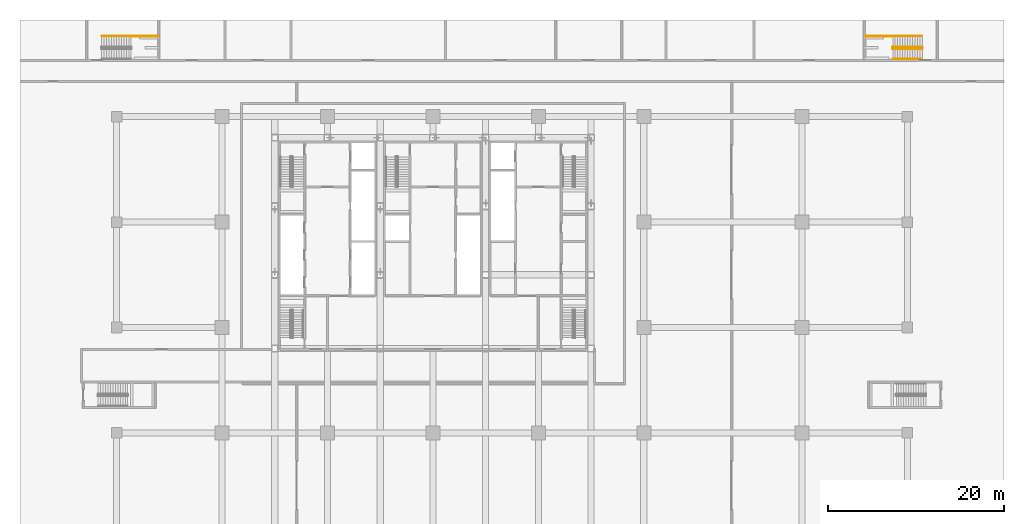
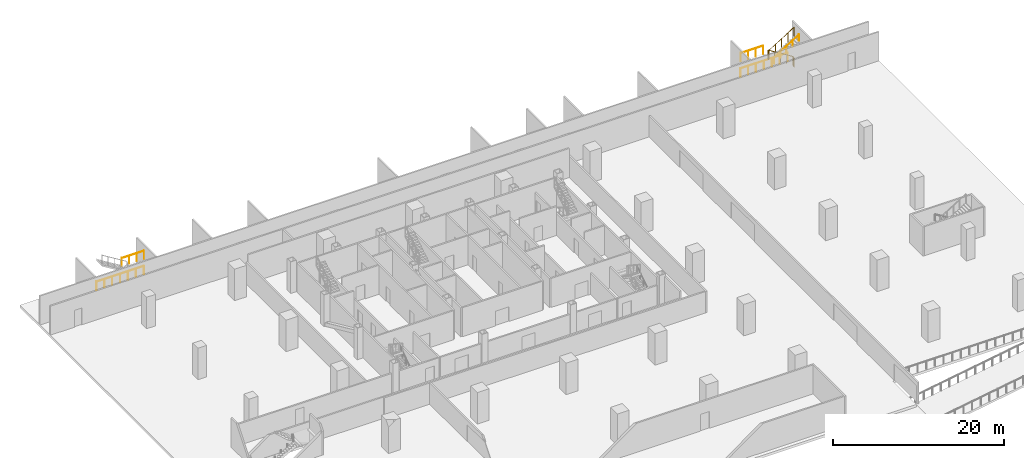
# One storey, part 15 of 15: 6 railings.
"""IFC4 building model written with IfcOpenShell, lengths in metres."""

from ifc_helpers import new_model, si_unit, direction, frame, origin, origin_2d, place, context, subcontext, project, spatial, circle, extrude, material, type_object, element, save


model = new_model("IFC4")

# Units and contexts
model_context = context("Model", 3, precision=1e-05, world=origin(), true_north=direction((0.0, 1.0)))
body_context = subcontext(model_context, "Body", "Model", "MODEL_VIEW")
ifc_project = project(units=[si_unit("LENGTHUNIT", "METRE"), si_unit("AREAUNIT", "SQUARE_METRE"), si_unit("VOLUMEUNIT", "CUBIC_METRE"), si_unit("PLANEANGLEUNIT", "RADIAN"), si_unit("MASSUNIT", "GRAM", prefix="KILO")], contexts=[model_context])

# Site, building, storey
site_placement = place(None, origin())
site = spatial("IfcSite", under=ifc_project, at=site_placement, CompositionType="ELEMENT")
building_placement = place(site_placement, origin())
building = spatial("IfcBuilding", under=site, at=building_placement, Name="Sorahane Residences", CompositionType="ELEMENT")
storey_placement = place(building_placement, frame((0.0, 0.0, -4.5)))
storey = spatial("IfcBuildingStorey", under=building, at=storey_placement, Name="B1", CompositionType="ELEMENT", Elevation=-4.5)

# Railings
ifc_material_1 = material(Name="Steel Q355B", Category="steel")
railing_type_1 = type_object("IfcRailingType", Name="Stair guard 1200 Steel Q355B", PredefinedType="GUARDRAIL", material=ifc_material_1)
railing_1_placement = place(storey_placement, frame((-13.699951171875, 57.199951171875, 0.0)))
element("IfcRailing", 1, at=railing_1_placement, inside=storey, type_object=railing_type_1, Name="B1 Basement stair BS1 guard", PredefinedType="GUARDRAIL", context=body_context, shape_type="SweptSolid", body=[
    extrude(circle(Radius=0.02392578125, at=origin_2d()), frame((0.0, 0.0, 1.17578125), z_axis=(1.0, 0.0, 0.0), x_axis=(0.0, 1.0, 0.0)), (0.0, 0.0, 1.0), 6.39990234375),
    extrude(circle(Radius=0.02099609375, at=origin_2d()), origin(), (0.0, 0.0, 1.0), 1.15185546875),
    extrude(circle(Radius=0.02099609375, at=origin_2d()), frame((1.066650390625, 0.0, 0.0)), (0.0, 0.0, 1.0), 1.15185546875),
    extrude(circle(Radius=0.02099609375, at=origin_2d()), frame((2.13330078125, 0.0, 0.0)), (0.0, 0.0, 1.0), 1.15185546875),
    extrude(circle(Radius=0.02099609375, at=origin_2d()), frame((3.199951171875, 0.0, 0.0)), (0.0, 0.0, 1.0), 1.15185546875),
    extrude(circle(Radius=0.02099609375, at=origin_2d()), frame((4.2666015625, 0.0, 0.0)), (0.0, 0.0, 1.0), 1.15185546875),
    extrude(circle(Radius=0.02099609375, at=origin_2d()), frame((5.333251953125, 0.0, 0.0)), (0.0, 0.0, 1.0), 1.15185546875),
    extrude(circle(Radius=0.02099609375, at=origin_2d()), frame((6.39990234375, 0.0, 0.0)), (0.0, 0.0, 1.0), 1.15185546875),
])
railing_2_placement = place(storey_placement, frame((-10.340087890625, 57.10009765625, 2.25)))
element("IfcRailing", 2, at=railing_2_placement, inside=storey, type_object=railing_type_1, Name="B1 Basement stair BS1 guard", PredefinedType="GUARDRAIL", context=body_context, shape_type="SweptSolid", body=[
    extrude(circle(Radius=0.02392578125, at=origin_2d()), frame((0.0, 0.0, 1.17578125), z_axis=(1.0, 0.0, 0.0), x_axis=(0.0, 1.0, 0.0)), (0.0, 0.0, 1.0), 3.0400390625),
    extrude(circle(Radius=0.02099609375, at=origin_2d()), origin(), (0.0, 0.0, 1.0), 1.15185546875),
    extrude(circle(Radius=0.02099609375, at=origin_2d()), frame((1.013427734375, 0.0, 0.0)), (0.0, 0.0, 1.0), 1.15185546875),
    extrude(circle(Radius=0.02099609375, at=origin_2d()), frame((2.026611328125, 0.0, 0.0)), (0.0, 0.0, 1.0), 1.15185546875),
    extrude(circle(Radius=0.02099609375, at=origin_2d()), frame((3.0400390625, 0.0, 0.0)), (0.0, 0.0, 1.0), 1.15185546875),
])
railing_3_placement = place(storey_placement, frame((79.75, 55.75, 0.0)))
element("IfcRailing", 3, at=railing_3_placement, inside=storey, type_object=railing_type_1, Name="B1 BS2 stair guard 1", PredefinedType="GUARDRAIL", context=body_context, shape_type="SweptSolid", body=[
    extrude(circle(Radius=0.02392578125, at=origin_2d()), frame((0.0, 0.0, 1.23583984375), z_axis=(0.0, 1.0, 0.0), x_axis=(-1.0, 0.0, 0.0)), (0.0, 0.0, 1.0), 0.14990234375),
    extrude(circle(Radius=0.02392578125, at=origin_2d()), frame((0.0, 0.14990234375, 1.23583984375), z_axis=(-0.267629722418, 0.267629722418, 0.925607186314), x_axis=(-0.707106781187, -0.707106781187, 0.0)), (0.0, 0.0, 1.0), 0.18701171875),
    extrude(circle(Radius=0.02392578125, at=origin_2d()), frame((-0.050048828125, 0.199951171875, 1.4091796875), z_axis=(-0.850606129759, 0.0, 0.525803396734), x_axis=(0.0, -1.0, 0.0)), (0.0, 0.0, 1.0), 3.949951171875),
    extrude(circle(Radius=0.02392578125, at=origin_2d()), frame((-3.409912109375, 0.199951171875, 3.48583984375), z_axis=(-0.707106781187, -0.707106781187, 0.0), x_axis=(0.707106781187, -0.707106781187, 0.0)), (0.0, 0.0, 1.0), 0.07080078125),
    extrude(circle(Radius=0.02392578125, at=origin_2d()), frame((-3.4599609375, 0.14990234375, 3.48583984375), z_axis=(0.0, -1.0, 0.0), x_axis=(1.0, 0.0, 0.0)), (0.0, 0.0, 1.0), 0.14990234375),
    extrude(circle(Radius=0.02392578125, at=origin_2d()), frame((-3.4599609375, 0.0, 3.48583984375), z_axis=(0.267629722418, -0.267629722418, 0.925607186314), x_axis=(0.707106781187, 0.707106781187, 0.0)), (0.0, 0.0, 1.0), 0.18701171875),
    extrude(circle(Radius=0.02392578125, at=origin_2d()), frame((-3.409912109375, -0.050048828125, 3.6591796875), z_axis=(0.850606129759, 0.0, 0.525803396734), x_axis=(0.0, 1.0, 0.0)), (0.0, 0.0, 1.0), 3.949951171875),
    extrude(circle(Radius=0.02099609375, at=origin_2d()), origin(), (0.0, 0.0, 1.0), 1.2119140625),
    extrude(circle(Radius=0.02099609375, at=origin_2d()), frame((0.0, 0.14990234375, 0.0)), (0.0, 0.0, 1.0), 1.2119140625),
    extrude(circle(Radius=0.02099609375, at=origin_2d()), frame((-0.050048828125, 0.199951171875, 0.173095703125)), (0.0, 0.0, 1.0), 1.2119140625),
    extrude(circle(Radius=0.02099609375, at=origin_2d()), frame((-0.89013671875, 0.199951171875, 0.6923828125)), (0.0, 0.0, 1.0), 1.2119140625),
    extrude(circle(Radius=0.02099609375, at=origin_2d()), frame((-1.72998046875, 0.199951171875, 1.21142578125)), (0.0, 0.0, 1.0), 1.2119140625),
    extrude(circle(Radius=0.02099609375, at=origin_2d()), frame((-2.56982421875, 0.199951171875, 1.730712890625)), (0.0, 0.0, 1.0), 1.2119140625),
    extrude(circle(Radius=0.02099609375, at=origin_2d()), frame((-3.409912109375, 0.199951171875, 2.25)), (0.0, 0.0, 1.0), 1.2119140625),
    extrude(circle(Radius=0.02099609375, at=origin_2d()), frame((-3.4599609375, 0.14990234375, 2.25)), (0.0, 0.0, 1.0), 1.2119140625),
    extrude(circle(Radius=0.02099609375, at=origin_2d()), frame((-3.4599609375, 0.0, 2.25)), (0.0, 0.0, 1.0), 1.2119140625),
    extrude(circle(Radius=0.02099609375, at=origin_2d()), frame((-3.409912109375, -0.050048828125, 2.423095703125)), (0.0, 0.0, 1.0), 1.2119140625),
    extrude(circle(Radius=0.02099609375, at=origin_2d()), frame((-2.56982421875, -0.050048828125, 2.9423828125)), (0.0, 0.0, 1.0), 1.2119140625),
    extrude(circle(Radius=0.02099609375, at=origin_2d()), frame((-1.72998046875, -0.050048828125, 3.46142578125)), (0.0, 0.0, 1.0), 1.2119140625),
    extrude(circle(Radius=0.02099609375, at=origin_2d()), frame((-0.89013671875, -0.050048828125, 3.980712890625)), (0.0, 0.0, 1.0), 1.2119140625),
    extrude(circle(Radius=0.02099609375, at=origin_2d()), frame((-0.050048828125, -0.050048828125, 4.5)), (0.0, 0.0, 1.0), 1.2119140625),
])
railing_4_placement = place(storey_placement, frame((73.300048828125, 57.10009765625, 2.25)))
element("IfcRailing", 4, at=railing_4_placement, inside=storey, type_object=railing_type_1, Name="B1 Basement stair BS2 guard", PredefinedType="GUARDRAIL", context=body_context, shape_type="SweptSolid", body=[
    extrude(circle(Radius=0.02392578125, at=origin_2d()), frame((0.0, 0.0, 1.17578125), z_axis=(1.0, 0.0, 0.0), x_axis=(0.0, 1.0, 0.0)), (0.0, 0.0, 1.0), 3.0400390625),
    extrude(circle(Radius=0.02099609375, at=origin_2d()), origin(), (0.0, 0.0, 1.0), 1.15185546875),
    extrude(circle(Radius=0.02099609375, at=origin_2d()), frame((1.013427734375, 0.0, 0.0)), (0.0, 0.0, 1.0), 1.15185546875),
    extrude(circle(Radius=0.02099609375, at=origin_2d()), frame((2.026611328125, 0.0, 0.0)), (0.0, 0.0, 1.0), 1.15185546875),
    extrude(circle(Radius=0.02099609375, at=origin_2d()), frame((3.0400390625, 0.0, 0.0)), (0.0, 0.0, 1.0), 1.15185546875),
])
railing_5_placement = place(storey_placement, frame((73.300048828125, 57.199951171875, 0.0)))
element("IfcRailing", 5, at=railing_5_placement, inside=storey, type_object=railing_type_1, Name="B1 Basement stair BS2 guard", PredefinedType="GUARDRAIL", context=body_context, shape_type="SweptSolid", body=[
    extrude(circle(Radius=0.02392578125, at=origin_2d()), frame((0.0, 0.0, 1.17578125), z_axis=(1.0, 0.0, 0.0), x_axis=(0.0, 1.0, 0.0)), (0.0, 0.0, 1.0), 6.39990234375),
    extrude(circle(Radius=0.02099609375, at=origin_2d()), origin(), (0.0, 0.0, 1.0), 1.15185546875),
    extrude(circle(Radius=0.02099609375, at=origin_2d()), frame((1.066650390625, 0.0, 0.0)), (0.0, 0.0, 1.0), 1.15185546875),
    extrude(circle(Radius=0.02099609375, at=origin_2d()), frame((2.13330078125, 0.0, 0.0)), (0.0, 0.0, 1.0), 1.15185546875),
    extrude(circle(Radius=0.02099609375, at=origin_2d()), frame((3.199951171875, 0.0, 0.0)), (0.0, 0.0, 1.0), 1.15185546875),
    extrude(circle(Radius=0.02099609375, at=origin_2d()), frame((4.2666015625, 0.0, 0.0)), (0.0, 0.0, 1.0), 1.15185546875),
    extrude(circle(Radius=0.02099609375, at=origin_2d()), frame((5.333251953125, 0.0, 0.0)), (0.0, 0.0, 1.0), 1.15185546875),
    extrude(circle(Radius=0.02099609375, at=origin_2d()), frame((6.39990234375, 0.0, 0.0)), (0.0, 0.0, 1.0), 1.15185546875),
])
ifc_material_2 = material(Name="Steel Q355B", Category="steel")
railing_type_2 = type_object("IfcRailingType", Name="Stair handrail 900 Steel Q355B", PredefinedType="HANDRAIL", material=ifc_material_2)
railing_6_placement = place(storey_placement, frame((76.340087890625, 54.550048828125, 2.423095703125)))
element("IfcRailing", 6, at=railing_6_placement, inside=storey, type_object=railing_type_2, Name="B1 BS2 stair handrail 1", PredefinedType="HANDRAIL", context=body_context, shape_type="SweptSolid", body=[
    extrude(circle(Radius=0.02392578125, at=origin_2d()), frame((0.0, 0.0, 0.8759765625), z_axis=(0.850606129759, 0.0, 0.525803396734), x_axis=(0.0, 1.0, 0.0)), (0.0, 0.0, 1.0), 3.949951171875),
    extrude(circle(Radius=0.02099609375, at=origin_2d()), origin(), (0.0, 0.0, 1.0), 0.851806640625),
    extrude(circle(Radius=0.02099609375, at=origin_2d()), frame((0.83984375, 0.0, 0.519287109375)), (0.0, 0.0, 1.0), 0.851806640625),
    extrude(circle(Radius=0.02099609375, at=origin_2d()), frame((1.679931640625, 0.0, 1.03857421875)), (0.0, 0.0, 1.0), 0.851806640625),
    extrude(circle(Radius=0.02099609375, at=origin_2d()), frame((2.52001953125, 0.0, 1.5576171875)), (0.0, 0.0, 1.0), 0.851806640625),
    extrude(circle(Radius=0.02099609375, at=origin_2d()), frame((3.35986328125, 0.0, 2.076904296875)), (0.0, 0.0, 1.0), 0.851806640625),
])

save(model, "model.ifc")
